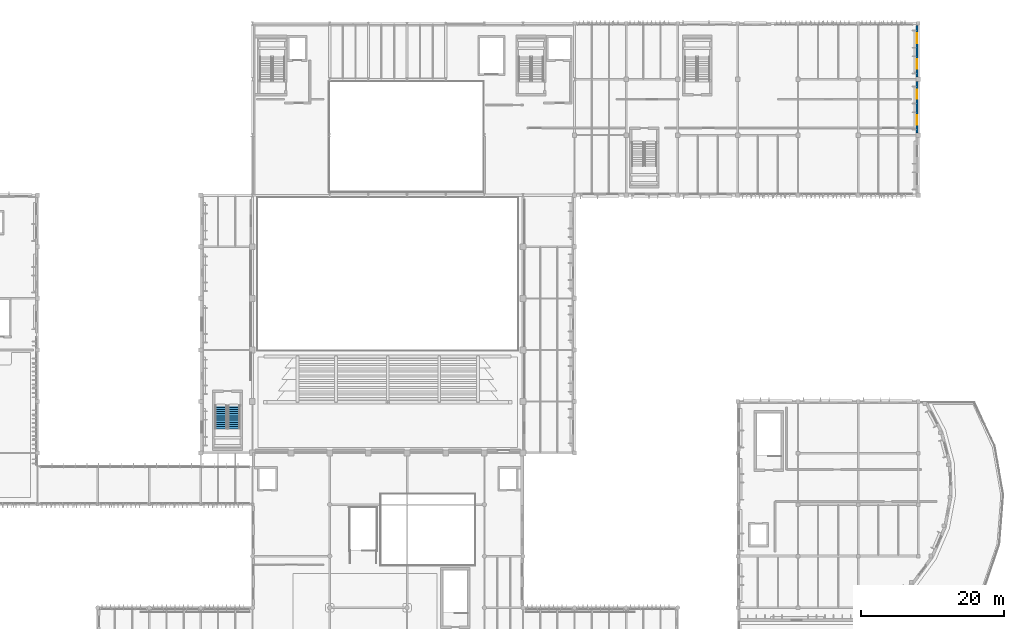
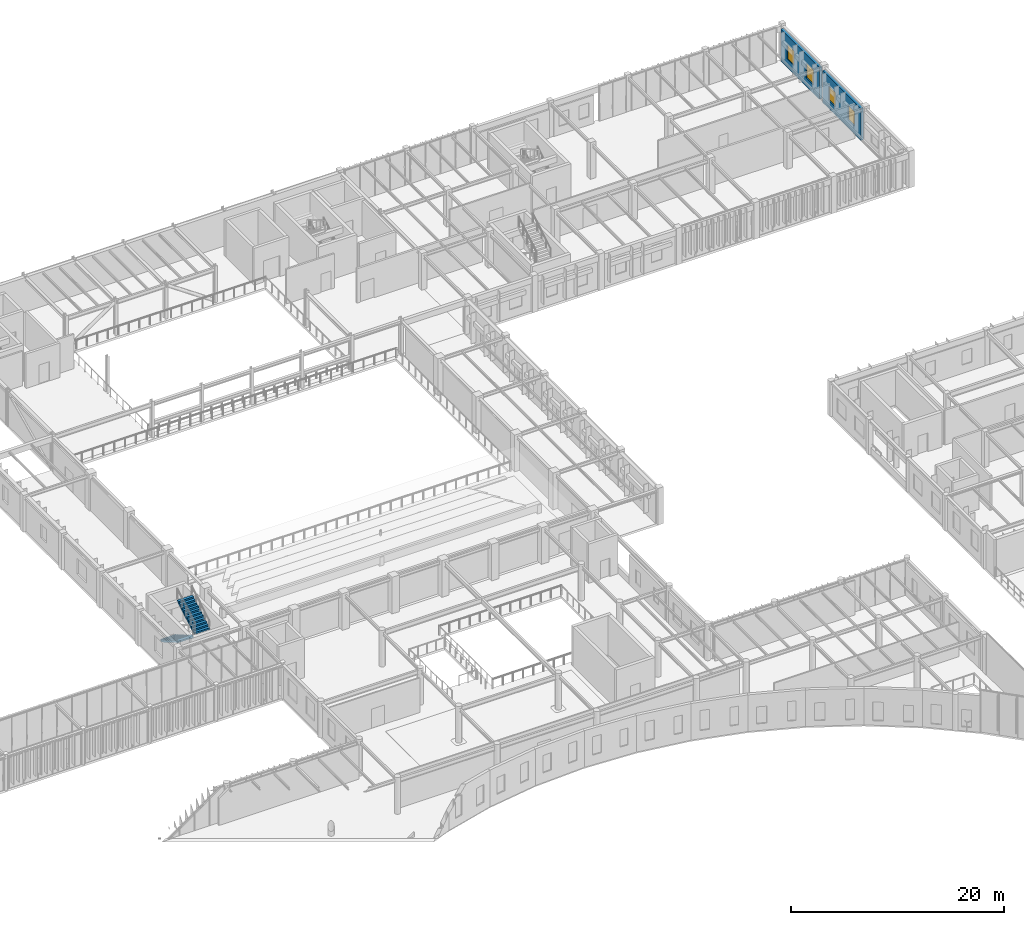
# One storey, part 47 of 104: 4 windows, 2 stair flights, 2 walls, 4 openings, 1 element without a shape of its own.
"""IFC4 building model written with IfcOpenShell, lengths in metres."""

import ifcopenshell
import ifcopenshell.guid

model = None  # the IFC model being written
_history = None  # IfcOwnerHistory: only IFC2X3 demands one
_inside = {}  # id of a spatial element -> (the spatial element, [elements in it])
_under = {}  # id of a project, library or spatial element -> (it, [spatial elements below it])
_declared = {}  # id of a project -> (the project, [libraries it declares])
_typed = {}  # id of a type object -> (the type object, [elements of that type])
_made_of = {}  # id of a material, layer set ... -> (it, [elements and type objects made of it])


def new_model(schema):
    """Start an empty IFC model of exactly this schema.

    Asked for "IFC4X3", IfcOpenShell would pick the latest addendum, in which some entities
    have other attributes; the version numbers below select the first issue.
    IFC2X3 requires an IfcOwnerHistory on every rooted entity: one is made here for all.
    """
    global model, _history
    if schema == "IFC4X3":
        model = ifcopenshell.file(schema_version=(4, 3, 0, 0))
    else:
        model = ifcopenshell.file(schema=schema)
    _inside.clear()
    _under.clear()
    _declared.clear()
    _typed.clear()
    _made_of.clear()
    _history = None
    if model.schema == "IFC2X3":
        org = make("IfcOrganization", Name="unknown")
        user = make(
            "IfcPersonAndOrganization",
            ThePerson=make("IfcPerson", FamilyName="unknown"),
            TheOrganization=org,
        )
        app = make(
            "IfcApplication",
            ApplicationDeveloper=org,
            Version="unknown",
            ApplicationFullName="unknown",
            ApplicationIdentifier="unknown",
        )
        _history = make(
            "IfcOwnerHistory",
            OwningUser=user,
            OwningApplication=app,
            ChangeAction="ADDED",
            CreationDate=0,
        )
    return model


def make(cls, **values):
    """One entity of the class cls with the attributes given. An attribute that is None is left unset."""
    return model.create_entity(
        cls, **{name: value for name, value in values.items() if value is not None}
    )


def rooted(cls, **values):
    """An entity with a GlobalId (a new one), such as an element, a storey or a relation."""
    return make(cls, GlobalId=ifcopenshell.guid.new(), OwnerHistory=_history, **values)


def si_unit(unit_type, name, prefix=None):
    """IfcSIUnit, for example si_unit("LENGTHUNIT", "METRE", prefix="MILLI")."""
    return make("IfcSIUnit", UnitType=unit_type, Prefix=prefix, Name=name)


def assignment(units):
    """IfcUnitAssignment: the units of a project."""
    return None if units is None else make("IfcUnitAssignment", Units=units)


def point(xyz):
    """IfcCartesianPoint."""
    return None if xyz is None else make("IfcCartesianPoint", Coordinates=xyz)


def direction(xyz):
    """IfcDirection."""
    return None if xyz is None else make("IfcDirection", DirectionRatios=xyz)


def frame(location, z_axis=None, x_axis=None):
    """IfcAxis2Placement3D, a coordinate frame: its origin and axes. An axis left out is left unset."""
    return make(
        "IfcAxis2Placement3D",
        Location=point(location),
        Axis=direction(z_axis),
        RefDirection=direction(x_axis),
    )


def frame_2d(location, x_axis=None):
    """IfcAxis2Placement2D, a coordinate frame in the plane: its origin and x axis."""
    return make(
        "IfcAxis2Placement2D", Location=point(location), RefDirection=direction(x_axis)
    )


def origin():
    """The frame at (0, 0, 0) with its axes left unset."""
    return frame((0.0, 0.0, 0.0))


def place(relative_to, where):
    """IfcLocalPlacement: puts the frame where relative to a parent placement (None: the world)."""
    return make(
        "IfcLocalPlacement", PlacementRelTo=relative_to, RelativePlacement=where
    )


def context(
    kind, dimensions, precision=None, world=None, true_north=None, identifier=None
):
    """IfcGeometricRepresentationContext, for example the 3D "Model" context."""
    return make(
        "IfcGeometricRepresentationContext",
        ContextIdentifier=identifier,
        ContextType=kind,
        CoordinateSpaceDimension=dimensions,
        Precision=precision,
        WorldCoordinateSystem=world,
        TrueNorth=true_north,
    )


def subcontext(parent, identifier, kind, view, scale=None):
    """IfcGeometricRepresentationSubContext, for example "Body" below "Model"."""
    return make(
        "IfcGeometricRepresentationSubContext",
        ContextIdentifier=identifier,
        ContextType=kind,
        ParentContext=parent,
        TargetScale=scale,
        TargetView=view,
    )


def project(units=None, contexts=None):
    """IfcProject with its units and contexts."""
    return rooted(
        "IfcProject",
        Name="project",
        RepresentationContexts=contexts,
        UnitsInContext=assignment(units),
    )


def spatial(cls, under=None, at=None, **own):
    """A site, building, storey or space (cls), placed at a placement, below another one or the project."""
    s = rooted(cls, ObjectPlacement=at, **own)
    if under is not None:
        _under.setdefault(under.id(), (under, []))[1].append(s)
    return s


def polyline(points):
    """IfcPolyline through the points."""
    return make("IfcPolyline", Points=[point(p) for p in points])


def profile(cls, at=None, kind="AREA", **sizes):
    """A parametric profile (cls). Its sizes go by their IFC names, for example OverallWidth=200.0."""
    return make(cls, ProfileType=kind, Position=at, **sizes)


def rectangle(**sizes):
    """IfcRectangleProfileDef."""
    return profile("IfcRectangleProfileDef", **sizes)


def outline(outer, holes=None, kind="AREA"):
    """IfcArbitraryClosedProfileDef: a profile drawn as a closed curve; with holes, ...WithVoids."""
    if holes is None:
        return make("IfcArbitraryClosedProfileDef", ProfileType=kind, OuterCurve=outer)
    return make(
        "IfcArbitraryProfileDefWithVoids",
        ProfileType=kind,
        OuterCurve=outer,
        InnerCurves=holes,
    )


def extrude(swept, where, along, depth):
    """IfcExtrudedAreaSolid: the profile swept, set in the frame where, extruded along a direction by depth."""
    return make(
        "IfcExtrudedAreaSolid",
        SweptArea=swept,
        Position=where,
        ExtrudedDirection=direction(along),
        Depth=depth,
    )


def shape(context_of_items, identifier, shape_type, items):
    """IfcShapeRepresentation: the items that make up one representation, for example the "Body"."""
    return make(
        "IfcShapeRepresentation",
        ContextOfItems=context_of_items,
        RepresentationIdentifier=identifier,
        RepresentationType=shape_type,
        Items=items,
    )


def material(Name=None, Category=None):
    """IfcMaterial."""
    return make("IfcMaterial", Name=Name, Category=Category)


def layer(
    of_material, thickness, ventilated=None, Name=None, Category=None, Priority=None
):
    """IfcMaterialLayer: one layer of a wall or slab, of a material (None: an air gap)."""
    return make(
        "IfcMaterialLayer",
        Material=of_material,
        LayerThickness=thickness,
        IsVentilated=ventilated,
        Name=Name,
        Category=Category,
        Priority=Priority,
    )


def layer_set(layers, Name=None):
    """IfcMaterialLayerSet."""
    return make("IfcMaterialLayerSet", MaterialLayers=layers, LayerSetName=Name)


def made_of(thing, what):
    """Note that an element or type object is made of a material, layer set ...; save() writes the relation."""
    if what is not None:
        _made_of.setdefault(what.id(), (what, []))[1].append(thing)
    return thing


def type_object(cls, material=None, **own):
    """A type object (cls), such as IfcWallType, which elements share."""
    return made_of(rooted(cls, **own), material)


def element(
    cls,
    number,
    at=None,
    inside=None,
    cuts=None,
    type_object=None,
    material=None,
    context=None,
    identifier="Body",
    shape_type=None,
    held_by="IfcProductDefinitionShape",
    body=None,
    shapes=None,
    **own,
):
    """One element of the class cls, such as IfcWall. Its Tag is "e" and its number.

    at: its placement. inside: the storey or other place that contains it. cuts: it is an
    opening in that element (IfcRelVoidsElement). A single representation is given by context,
    identifier, shape_type and body (its items); several are given by shapes. held_by: the class
    of the entity that holds the representations. save() writes the other relations.
    """
    e = rooted(cls, Tag="e%d" % number, ObjectPlacement=at, **own)
    if body is not None:
        shapes = [shape(context, identifier, shape_type, body)]
    if shapes is not None:
        e.Representation = make(held_by, Representations=shapes)
    if inside is not None:
        _inside.setdefault(inside.id(), (inside, []))[1].append(e)
    if cuts is not None:
        rooted(
            "IfcRelVoidsElement", RelatingBuildingElement=cuts, RelatedOpeningElement=e
        )
    if type_object is not None:
        _typed.setdefault(type_object.id(), (type_object, []))[1].append(e)
    return made_of(e, material)


def fill(opening, filler):
    """IfcRelFillsElement: the door or window that sits in an opening."""
    return rooted(
        "IfcRelFillsElement",
        RelatingOpeningElement=opening,
        RelatedBuildingElement=filler,
    )


def aggregate(whole, parts):
    """IfcRelAggregates: a whole, such as a stair, and the parts it consists of."""
    return rooted("IfcRelAggregates", RelatingObject=whole, RelatedObjects=parts)


def save(model, path):
    """Write the relations noted so far, then the file.

    IfcRelAggregates (storeys below a building ...), IfcRelContainedInSpatialStructure (elements
    in a storey), IfcRelDefinesByType, IfcRelAssociatesMaterial and IfcRelDeclares: one each for
    every whole, place, type object, material and project.
    """
    for whole, parts in _under.values():
        aggregate(whole, parts)
    for where, things in _inside.values():
        rooted(
            "IfcRelContainedInSpatialStructure",
            RelatedElements=things,
            RelatingStructure=where,
        )
    for kind, things in _typed.values():
        rooted("IfcRelDefinesByType", RelatedObjects=things, RelatingType=kind)
    for what, things in _made_of.values():
        rooted("IfcRelAssociatesMaterial", RelatedObjects=things, RelatingMaterial=what)
    for by, libraries in _declared.values():
        rooted("IfcRelDeclares", RelatingContext=by, RelatedDefinitions=libraries)
    model.write(path)


model = new_model("IFC4")

# Units and contexts
model_context = context("Model", 3, precision=1e-05, world=origin(), true_north=direction((0.0, 1.0)))
body_context = subcontext(model_context, "Body", "Model", "MODEL_VIEW")
ifc_project = project(units=[si_unit("LENGTHUNIT", "METRE"), si_unit("AREAUNIT", "SQUARE_METRE"), si_unit("VOLUMEUNIT", "CUBIC_METRE"), si_unit("PLANEANGLEUNIT", "RADIAN"), si_unit("MASSUNIT", "GRAM", prefix="KILO")], contexts=[model_context])

# Site, building, storey
site_placement = place(None, origin())
site = spatial("IfcSite", under=ifc_project, at=site_placement, CompositionType="ELEMENT")
building_placement = place(site_placement, origin())
building = spatial("IfcBuilding", under=site, at=building_placement, Name="Tazoul Stagehouse", CompositionType="ELEMENT")
storey_placement = place(building_placement, frame((0.0, 0.0, 9.0)))
storey = spatial("IfcBuildingStorey", under=building, at=storey_placement, Name="L02", CompositionType="ELEMENT", Elevation=9.0)

# Wall, openings, windows
ifc_material_1 = material(Name="Precast concrete C40/50", Category="concrete")
ifc_layer = layer(ifc_material_1, 0.280029296875, Name="Precast concrete C40/50")
ifc_layer_set = layer_set([ifc_layer], Name="Precast concrete C40/50")
wall_type = type_object("IfcWallType", Name="Insulated Precast Acoustic Cladding Wall 280", PredefinedType="SOLIDWALL", material=ifc_layer_set)
wall_1_placement = place(storey_placement, frame((150.419921875, 96.5048828125, 0.0), z_axis=(0.0, 0.0, 1.0), x_axis=(0.0, 1.0, 0.0)))
wall_1 = element("IfcWall", 1, at=wall_1_placement, inside=storey, type_object=wall_type, Name="L02 Wall EW-280 (WALL-V3-E-L02-S2)", PredefinedType="SOLIDWALL", context=body_context, shape_type="SweptSolid", body=[
    extrude(rectangle(XDim=7.190185546875, YDim=0.280029296875, at=frame_2d((3.59521484375, 0.0))), origin(), (0.0, 0.0, 1.0), 3.673095703125),
])
opening_1_placement = place(wall_1_placement, frame((1.1474609375, 0.0, 0.949951171875)))
opening_1 = element("IfcOpeningElement", 2, at=opening_1_placement, cuts=wall_1, Name="Opening WN-31", PredefinedType="OPENING", context=body_context, shape_type="SweptSolid", body=[
    extrude(rectangle(XDim=1.300048828125, YDim=1.64990234375, at=frame_2d((0.64990234375, 0.824951171875))), frame((0.0, 0.159912109375, 0.0), z_axis=(0.0, -1.0, 0.0), x_axis=(1.0, 0.0, 0.0)), (0.0, 0.0, 1.0), 0.320068359375),
])
opening_2_placement = place(wall_1_placement, frame((4.742431640625, 0.0, 0.949951171875)))
opening_2 = element("IfcOpeningElement", 3, at=opening_2_placement, cuts=wall_1, Name="Opening WN-31", PredefinedType="OPENING", context=body_context, shape_type="SweptSolid", body=[
    extrude(rectangle(XDim=1.300048828125, YDim=1.64990234375, at=frame_2d((0.64990234375, 0.824951171875))), frame((0.0, 0.159912109375, 0.0), z_axis=(0.0, -1.0, 0.0), x_axis=(1.0, 0.0, 0.0)), (0.0, 0.0, 1.0), 0.320068359375),
])
ifc_material_2 = material(Name="Double Low-E Acoustic Laminated Glass", Category="glass")
window_type_1 = type_object("IfcWindowType", Name="Stagehouse Technical Light 1300x1650", PartitioningType="SINGLE_PANEL", PredefinedType="WINDOW", material=ifc_material_2)
window_1_placement = place(opening_1_placement, origin())
window_1 = element("IfcWindow", 4, at=window_1_placement, inside=storey, type_object=window_type_1, Name="L02 Window WN-31 (WALL-V3-E-L02-S2-W1)", OverallHeight=1.64990234375, OverallWidth=1.300048828125, PartitioningType="SINGLE_PANEL", PredefinedType="WINDOW", context=body_context, shape_type="SweptSolid", body=[
    extrude(rectangle(XDim=1.300048828125, YDim=1.64990234375, at=frame_2d((0.64990234375, 0.824951171875))), frame((0.0, 0.030029296875, 0.0), z_axis=(0.0, -1.0, 0.0), x_axis=(1.0, 0.0, 0.0)), (0.0, 0.0, 1.0), 0.06005859375),
])
fill(opening_1, window_1)
window_2_placement = place(opening_2_placement, origin())
window_2 = element("IfcWindow", 5, at=window_2_placement, inside=storey, type_object=window_type_1, Name="L02 Window WN-31 (WALL-V3-E-L02-S2-W2)", OverallHeight=1.64990234375, OverallWidth=1.300048828125, PartitioningType="SINGLE_PANEL", PredefinedType="WINDOW", context=body_context, shape_type="SweptSolid", body=[
    extrude(rectangle(XDim=1.300048828125, YDim=1.64990234375, at=frame_2d((0.64990234375, 0.824951171875))), frame((0.0, 0.030029296875, 0.0), z_axis=(0.0, -1.0, 0.0), x_axis=(1.0, 0.0, 0.0)), (0.0, 0.0, 1.0), 0.06005859375),
])
fill(opening_2, window_2)

wall_2_placement = place(storey_placement, frame((150.419921875, 104.304931640625, 0.0), z_axis=(0.0, 0.0, 1.0), x_axis=(0.0, 1.0, 0.0)))
wall_2 = element("IfcWall", 6, at=wall_2_placement, inside=storey, type_object=wall_type, Name="L02 Wall EW-280 (WALL-V3-E-L02-S3)", PredefinedType="SOLIDWALL", context=body_context, shape_type="SweptSolid", body=[
    extrude(rectangle(XDim=7.239990234375, YDim=0.280029296875, at=frame_2d((3.6201171875, 0.0))), origin(), (0.0, 0.0, 1.0), 3.673095703125),
])
opening_3_placement = place(wall_2_placement, frame((1.135009765625, 0.0, 0.949951171875)))
opening_3 = element("IfcOpeningElement", 7, at=opening_3_placement, cuts=wall_2, Name="Opening WN-48", PredefinedType="OPENING", context=body_context, shape_type="SweptSolid", body=[
    extrude(rectangle(XDim=1.35009765625, YDim=1.699951171875, at=frame_2d((0.675048828125, 0.85009765625))), frame((0.0, 0.159912109375, 0.0), z_axis=(0.0, -1.0, 0.0), x_axis=(1.0, 0.0, 0.0)), (0.0, 0.0, 1.0), 0.320068359375),
])
opening_4_placement = place(wall_2_placement, frame((4.7548828125, 0.0, 0.949951171875)))
opening_4 = element("IfcOpeningElement", 8, at=opening_4_placement, cuts=wall_2, Name="Opening WN-48", PredefinedType="OPENING", context=body_context, shape_type="SweptSolid", body=[
    extrude(rectangle(XDim=1.35009765625, YDim=1.699951171875, at=frame_2d((0.675048828125, 0.85009765625))), frame((0.0, 0.159912109375, 0.0), z_axis=(0.0, -1.0, 0.0), x_axis=(1.0, 0.0, 0.0)), (0.0, 0.0, 1.0), 0.320068359375),
])
window_type_2 = type_object("IfcWindowType", Name="Architectural Acoustic Facade Window 1350x1700", PartitioningType="SINGLE_PANEL", PredefinedType="WINDOW", material=ifc_material_2)
window_3_placement = place(opening_3_placement, origin())
window_3 = element("IfcWindow", 9, at=window_3_placement, inside=storey, type_object=window_type_2, Name="L02 Window WN-48 (WALL-V3-E-L02-S3-W1)", OverallHeight=1.699951171875, OverallWidth=1.35009765625, PartitioningType="SINGLE_PANEL", PredefinedType="WINDOW", context=body_context, shape_type="SweptSolid", body=[
    extrude(rectangle(XDim=1.35009765625, YDim=1.699951171875, at=frame_2d((0.675048828125, 0.85009765625))), frame((0.0, 0.030029296875, 0.0), z_axis=(0.0, -1.0, 0.0), x_axis=(1.0, 0.0, 0.0)), (0.0, 0.0, 1.0), 0.06005859375),
])
fill(opening_3, window_3)
window_4_placement = place(opening_4_placement, origin())
window_4 = element("IfcWindow", 10, at=window_4_placement, inside=storey, type_object=window_type_2, Name="L02 Window WN-48 (WALL-V3-E-L02-S3-W2)", OverallHeight=1.699951171875, OverallWidth=1.35009765625, PartitioningType="SINGLE_PANEL", PredefinedType="WINDOW", context=body_context, shape_type="SweptSolid", body=[
    extrude(rectangle(XDim=1.35009765625, YDim=1.699951171875, at=frame_2d((0.675048828125, 0.85009765625))), frame((0.0, 0.030029296875, 0.0), z_axis=(0.0, -1.0, 0.0), x_axis=(1.0, 0.0, 0.0)), (0.0, 0.0, 1.0), 0.06005859375),
])
fill(opening_4, window_4)

# Stair, stair flights
ifc_material_3 = material(Name="Concrete C40/50", Category="concrete")
stair_type = type_object("IfcStairType", Name="Protected Core Dogleg Stair 4200", PredefinedType="HALF_TURN_STAIR", material=ifc_material_3)
stair_placement = place(storey_placement, origin())
stair = element("IfcStair", 11, at=stair_placement, inside=storey, type_object=stair_type, Name="L02 Core Escape Stair ST-05", PredefinedType="HALF_TURN_STAIR")
stair_flight_type = type_object("IfcStairFlightType", Name="Core Stair Flight W1650", PredefinedType="STRAIGHT", material=ifc_material_3)
stair_flight_1_placement = place(storey_placement, frame((53.22509765625, 58.489990234375, 0.0), z_axis=(0.0, 0.0, 1.0), x_axis=(0.0, -1.0, 0.0)))
stair_flight_1 = element("IfcStairFlight", 12, at=stair_flight_1_placement, type_object=stair_flight_type, Name="ST-05 flight 1", NumberOfRisers=12, NumberOfTreads=11, PredefinedType="STRAIGHT", RiserHeight=0.175, TreadLength=0.3, context=body_context, shape_type="SweptSolid", body=[
    extrude(outline(polyline([(0.0, 0.0), (0.0, 0.175048828125), (0.300048828125, 0.175048828125), (0.300048828125, 0.35009765625), (0.60009765625, 0.35009765625), (0.60009765625, 0.52490234375), (0.89990234375, 0.52490234375), (0.89990234375, 0.699951171875), (1.199951171875, 0.699951171875), (1.199951171875, 0.875), (1.5, 0.875), (1.5, 1.050048828125), (1.800048828125, 1.050048828125), (1.800048828125, 1.22509765625), (2.10009765625, 1.22509765625), (2.10009765625, 1.39990234375), (2.39990234375, 1.39990234375), (2.39990234375, 1.574951171875), (2.699951171875, 1.574951171875), (2.699951171875, 1.75), (3.0, 1.75), (3.0, 1.925048828125), (3.300048828125, 1.925048828125), (3.300048828125, 2.10009765625), (3.300048828125, 1.75146484375), (0.297607421875, 0.0), (0.0, 0.0)])), frame((0.0, 0.824951171875, 0.0), z_axis=(0.0, -1.0, 0.0), x_axis=(1.0, 0.0, 0.0)), (0.0, 0.0, 1.0), 1.64990234375),
])
stair_flight_2_placement = place(storey_placement, frame((55.02490234375, 55.18994140625, 2.10009765625), z_axis=(0.0, 0.0, 1.0), x_axis=(0.0, 1.0, 0.0)))
stair_flight_2 = element("IfcStairFlight", 13, at=stair_flight_2_placement, type_object=stair_flight_type, Name="ST-05 flight 2", NumberOfRisers=12, NumberOfTreads=11, PredefinedType="STRAIGHT", RiserHeight=0.175, TreadLength=0.3, context=body_context, shape_type="SweptSolid", body=[
    extrude(outline(polyline([(0.0, 0.0), (0.0, 0.175048828125), (0.300048828125, 0.175048828125), (0.300048828125, 0.35009765625), (0.60009765625, 0.35009765625), (0.60009765625, 0.52490234375), (0.89990234375, 0.52490234375), (0.89990234375, 0.699951171875), (1.199951171875, 0.699951171875), (1.199951171875, 0.875), (1.5, 0.875), (1.5, 1.050048828125), (1.800048828125, 1.050048828125), (1.800048828125, 1.22509765625), (2.10009765625, 1.22509765625), (2.10009765625, 1.39990234375), (2.39990234375, 1.39990234375), (2.39990234375, 1.574951171875), (2.699951171875, 1.574951171875), (2.699951171875, 1.75), (3.0, 1.75), (3.0, 1.925048828125), (3.300048828125, 1.925048828125), (3.300048828125, 2.10009765625), (3.300048828125, 1.75146484375), (0.297607421875, 0.0), (0.0, 0.0)])), frame((0.0, 0.824951171875, 0.0), z_axis=(0.0, -1.0, 0.0), x_axis=(1.0, 0.0, 0.0)), (0.0, 0.0, 1.0), 1.64990234375),
])
aggregate(stair, [stair_flight_1, stair_flight_2])

save(model, "model.ifc")
